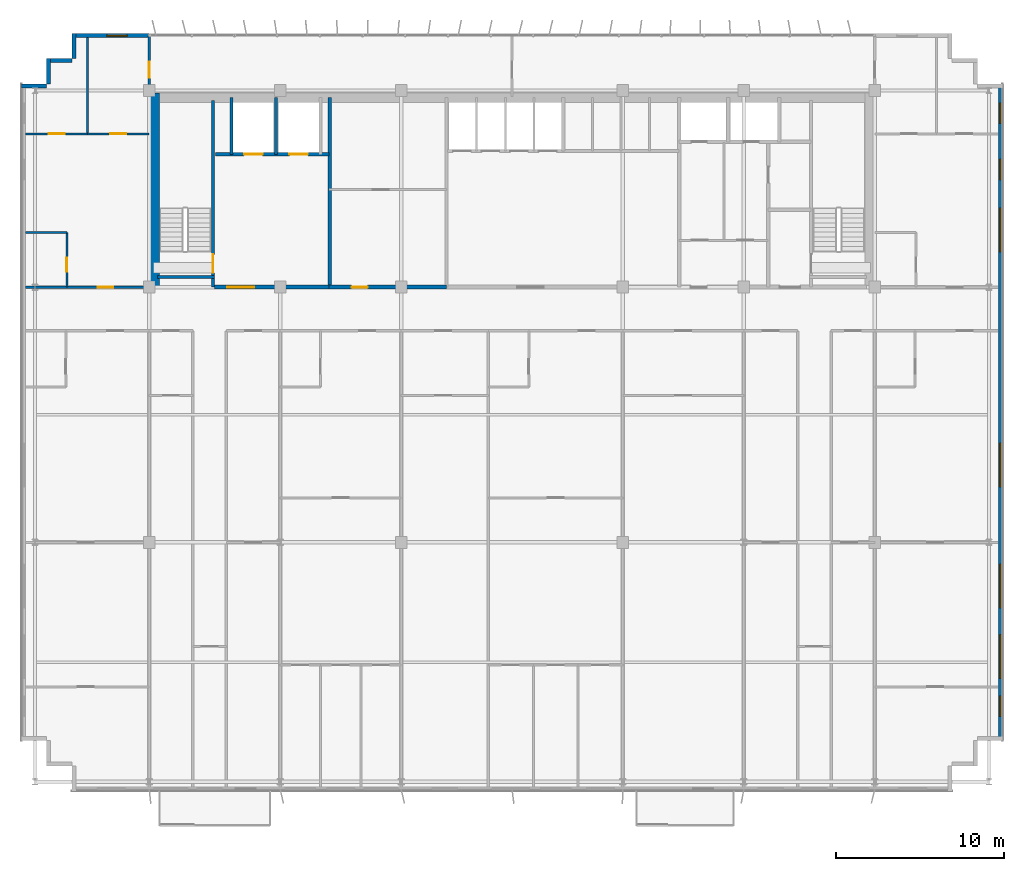
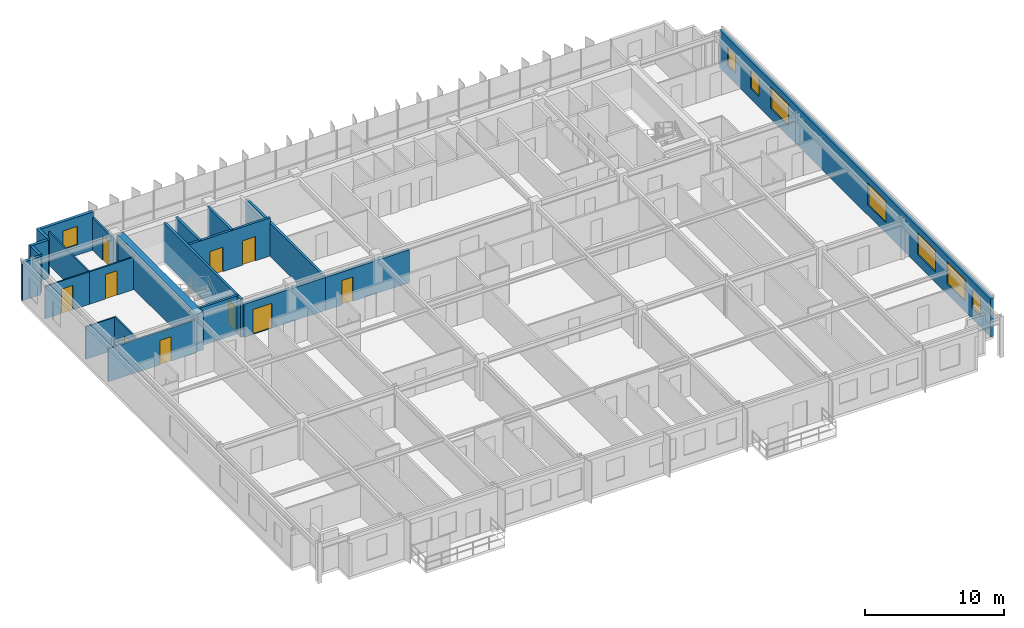
# One storey, part 19 of 23: 22 walls, 10 doors, 8 windows, 18 openings.
"""IFC4 building model written with IfcOpenShell, lengths in metres."""

from ifc_helpers import new_model, si_unit, direction, frame, frame_2d, origin, place, context, subcontext, project, spatial, rectangle, extrude, source, transform, mapped, material, layer, layer_set, type_object, element, fill, save


model = new_model("IFC4")

# Units and contexts
model_context = context("Model", 3, precision=1e-05, world=origin(), true_north=direction((0.0, 1.0)))
body_context = subcontext(model_context, "Body", "Model", "MODEL_VIEW")
ifc_project = project(units=[si_unit("LENGTHUNIT", "METRE"), si_unit("AREAUNIT", "SQUARE_METRE"), si_unit("VOLUMEUNIT", "CUBIC_METRE"), si_unit("PLANEANGLEUNIT", "RADIAN"), si_unit("MASSUNIT", "GRAM", prefix="KILO")], contexts=[model_context])

# Site, building, storey
site_placement = place(None, origin())
site = spatial("IfcSite", under=ifc_project, at=site_placement, CompositionType="ELEMENT")
building_placement = place(site_placement, origin())
building = spatial("IfcBuilding", under=site, at=building_placement, Name="Trelvane Seafront Commons", CompositionType="ELEMENT")
storey_placement = place(building_placement, frame((0.0, 0.0, 208.5)))
storey = spatial("IfcBuildingStorey", under=building, at=storey_placement, Name="L54", CompositionType="ELEMENT", Elevation=208.5)

# Wall, opening, window
ifc_material_1 = material(Name="Precast concrete C40/50", Category="concrete")
ifc_layer_1 = layer(ifc_material_1, 0.239990234375, Name="ARCH-WALL-EXT240")
ifc_layer_set_1 = layer_set([ifc_layer_1], Name="Precast concrete C40/50")
wall_type_1 = type_object("IfcWallType", Name="ARCH-WALL-EXT240", PredefinedType="SOLIDWALL", material=ifc_layer_set_1)
wall_1_placement = place(storey_placement, frame((11.10009765625, 48.3701171875, 0.0), z_axis=(0.0, 0.0, 1.0), x_axis=(1.0, 0.0, 0.0)))
wall_1 = element("IfcWall", 1, at=wall_1_placement, inside=storey, type_object=wall_type_1, Name="EW-L54-NW-1078", PredefinedType="SOLIDWALL", context=body_context, shape_type="SweptSolid", body=[
    extrude(rectangle(XDim=4.5, YDim=0.239990234375, at=frame_2d((2.25, 0.0))), origin(), (0.0, 0.0, 1.0), 3.360107421875),
])
opening_1_placement = place(wall_1_placement, frame((1.98291015625, 0.0, 0.89990234375)))
opening_1 = element("IfcOpeningElement", 2, at=opening_1_placement, cuts=wall_1, Name="Opening W05", PredefinedType="OPENING", context=body_context, shape_type="SweptSolid", body=[
    extrude(rectangle(XDim=1.199951171875, YDim=1.64990234375, at=frame_2d((0.60009765625, 0.824951171875))), frame((0.0, 0.1298828125, 0.0), z_axis=(0.0, -1.0, 0.0), x_axis=(1.0, 0.0, 0.0)), (0.0, 0.0, 1.0), 0.260009765625),
])
ifc_material_2 = material(Name="Low-E coastal double glazing", Category="glass")
window_type_1 = type_object("IfcWindowType", Name="ARCH-WIN-W05", PartitioningType="SINGLE_PANEL", PredefinedType="WINDOW", material=ifc_material_2)
shared_shape_1 = source(origin(), body_context, "Body", "SweptSolid", [
    extrude(rectangle(XDim=1.199951171875, YDim=1.64990234375, at=frame_2d((0.60009765625, 0.824951171875))), frame((0.0, 0.030029296875, 0.0), z_axis=(0.0, -1.0, 0.0), x_axis=(1.0, 0.0, 0.0)), (0.0, 0.0, 1.0), 0.06005859375),
])
window_1_placement = place(opening_1_placement, origin())
window_1 = element("IfcWindow", 3, at=window_1_placement, inside=storey, type_object=window_type_1, Name="WIN-L54-01300", OverallHeight=1.64990234375, OverallWidth=1.199951171875, PartitioningType="SINGLE_PANEL", PredefinedType="WINDOW", context=body_context, shape_type="MappedRepresentation", body=[
    mapped(shared_shape_1, transform((0.0, 0.0, 0.0), x_axis=(1.0, 0.0, 0.0), y_axis=(0.0, 1.0, 0.0), z_axis=(0.0, 0.0, 1.0), scale=1.0)),
])
fill(opening_1, window_1)

# Walls
for number, where, z_axis, x_axis, name in (
    (4, (8.0, 45.3798828125, 0.0), (0.0, 0.0, 1.0), (1.0, 0.0, 0.0), "EW-L54-01084"),
    (5, (9.6201171875, 45.5, 0.0), (0.0, 0.0, 1.0), (0.0, 1.0, 0.0), "EW-L54-01085"),
    (6, (9.5, 46.8798828125, 0.0), (0.0, 0.0, 1.0), (1.0, 0.0, 0.0), "EW-L54-01086"),
    (7, (11.1201171875, 47.0, 0.0), (0.0, 0.0, 1.0), (0.0, 1.0, 0.0), "EW-L54-01087"),
):
    element("IfcWall", number, at=place(storey_placement, frame(where, z_axis=z_axis, x_axis=x_axis)), inside=storey, type_object=wall_type_1, Name=name, PredefinedType="SOLIDWALL", context=body_context, shape_type="SweptSolid", body=[
        extrude(rectangle(XDim=1.5, YDim=0.239990234375, at=frame_2d((0.75, 0.0))), origin(), (0.0, 0.0, 1.0), 3.360107421875),
    ])

# Wall, openings, windows
wall_2_placement = place(storey_placement, frame((66.280029296875, 45.5, 0.0), z_axis=(0.0, 0.0, 1.0), x_axis=(0.0, -1.0, 0.0)))
wall_2 = element("IfcWall", 8, at=wall_2_placement, inside=storey, type_object=wall_type_1, Name="EW-L54-01092", PredefinedType="SOLIDWALL", context=body_context, shape_type="SweptSolid", body=[
    extrude(rectangle(XDim=39.10009765625, YDim=0.239990234375, at=frame_2d((19.550048828125, 0.0))), origin(), (0.0, 0.0, 1.0), 3.360107421875),
])
opening_2_placement = place(wall_2_placement, frame((36.449951171875, 0.0, 0.919921875)))
opening_2 = element("IfcOpeningElement", 9, at=opening_2_placement, cuts=wall_2, Name="Opening W05", PredefinedType="OPENING", context=body_context, shape_type="SweptSolid", body=[
    extrude(rectangle(XDim=1.199951171875, YDim=1.64990234375, at=frame_2d((0.60009765625, 0.824951171875))), frame((0.0, 0.1298828125, 0.0), z_axis=(0.0, -1.0, 0.0), x_axis=(1.0, 0.0, 0.0)), (0.0, 0.0, 1.0), 0.260009765625),
])
opening_3_placement = place(wall_2_placement, frame((32.800048828125, 0.0, 0.919921875)))
opening_3 = element("IfcOpeningElement", 10, at=opening_3_placement, cuts=wall_2, Name="Opening W04", PredefinedType="OPENING", context=body_context, shape_type="SweptSolid", body=[
    extrude(rectangle(XDim=2.60009765625, YDim=1.89990234375, at=frame_2d((1.300048828125, 0.949951171875))), frame((0.0, 0.1298828125, 0.0), z_axis=(0.0, -1.0, 0.0), x_axis=(1.0, 0.0, 0.0)), (0.0, 0.0, 1.0), 0.260009765625),
])
opening_4_placement = place(wall_2_placement, frame((28.60009765625, 0.0, 0.919921875)))
opening_4 = element("IfcOpeningElement", 11, at=opening_4_placement, cuts=wall_2, Name="Opening W04", PredefinedType="OPENING", context=body_context, shape_type="SweptSolid", body=[
    extrude(rectangle(XDim=2.60009765625, YDim=1.89990234375, at=frame_2d((1.300048828125, 0.949951171875))), frame((0.0, 0.1298828125, 0.0), z_axis=(0.0, -1.0, 0.0), x_axis=(1.0, 0.0, 0.0)), (0.0, 0.0, 1.0), 0.260009765625),
])
opening_5_placement = place(wall_2_placement, frame((21.39990234375, 0.0, 0.919921875)))
opening_5 = element("IfcOpeningElement", 12, at=opening_5_placement, cuts=wall_2, Name="Opening W04", PredefinedType="OPENING", context=body_context, shape_type="SweptSolid", body=[
    extrude(rectangle(XDim=2.60009765625, YDim=1.89990234375, at=frame_2d((1.300048828125, 0.949951171875))), frame((0.0, 0.1298828125, 0.0), z_axis=(0.0, -1.0, 0.0), x_axis=(1.0, 0.0, 0.0)), (0.0, 0.0, 1.0), 0.260009765625),
])
opening_6_placement = place(wall_2_placement, frame((7.39990234375, 0.0, 0.919921875)))
opening_6 = element("IfcOpeningElement", 13, at=opening_6_placement, cuts=wall_2, Name="Opening W04", PredefinedType="OPENING", context=body_context, shape_type="SweptSolid", body=[
    extrude(rectangle(XDim=2.60009765625, YDim=1.89990234375, at=frame_2d((1.300048828125, 0.949951171875))), frame((0.0, 0.1298828125, 0.0), z_axis=(0.0, -1.0, 0.0), x_axis=(1.0, 0.0, 0.0)), (0.0, 0.0, 1.0), 0.260009765625),
])
opening_7_placement = place(wall_2_placement, frame((4.5, 0.0, 0.919921875)))
opening_7 = element("IfcOpeningElement", 14, at=opening_7_placement, cuts=wall_2, Name="Opening W05", PredefinedType="OPENING", context=body_context, shape_type="SweptSolid", body=[
    extrude(rectangle(XDim=1.199951171875, YDim=1.64990234375, at=frame_2d((0.60009765625, 0.824951171875))), frame((0.0, 0.1298828125, 0.0), z_axis=(0.0, -1.0, 0.0), x_axis=(1.0, 0.0, 0.0)), (0.0, 0.0, 1.0), 0.260009765625),
])
opening_8_placement = place(wall_2_placement, frame((1.14990234375, 0.0, 0.919921875)))
opening_8 = element("IfcOpeningElement", 15, at=opening_8_placement, cuts=wall_2, Name="Opening W05", PredefinedType="OPENING", context=body_context, shape_type="SweptSolid", body=[
    extrude(rectangle(XDim=1.199951171875, YDim=1.64990234375, at=frame_2d((0.60009765625, 0.824951171875))), frame((0.0, 0.1298828125, 0.0), z_axis=(0.0, -1.0, 0.0), x_axis=(1.0, 0.0, 0.0)), (0.0, 0.0, 1.0), 0.260009765625),
])
window_type_2 = type_object("IfcWindowType", Name="ARCH-WIN-W04", PartitioningType="SINGLE_PANEL", PredefinedType="WINDOW", material=ifc_material_2)
shared_shape_2 = source(origin(), body_context, "Body", "SweptSolid", [
    extrude(rectangle(XDim=2.60009765625, YDim=1.89990234375, at=frame_2d((1.300048828125, 0.949951171875))), frame((0.0, 0.030029296875, 0.0), z_axis=(0.0, -1.0, 0.0), x_axis=(1.0, 0.0, 0.0)), (0.0, 0.0, 1.0), 0.06005859375),
])
window_2_placement = place(opening_3_placement, origin())
window_2 = element("IfcWindow", 16, at=window_2_placement, inside=storey, type_object=window_type_2, Name="WIN-L54-EW-01309", OverallHeight=1.89990234375, OverallWidth=2.60009765625, PartitioningType="SINGLE_PANEL", PredefinedType="WINDOW", context=body_context, shape_type="MappedRepresentation", body=[
    mapped(shared_shape_2, transform((0.0, 0.0, 0.0), x_axis=(1.0, 0.0, 0.0), y_axis=(0.0, 1.0, 0.0), z_axis=(0.0, 0.0, 1.0), scale=1.0)),
])
fill(opening_3, window_2)
window_3_placement = place(opening_4_placement, origin())
window_3 = element("IfcWindow", 17, at=window_3_placement, inside=storey, type_object=window_type_2, Name="WIN-L54-EW-01310", OverallHeight=1.89990234375, OverallWidth=2.60009765625, PartitioningType="SINGLE_PANEL", PredefinedType="WINDOW", context=body_context, shape_type="MappedRepresentation", body=[
    mapped(shared_shape_2, transform((0.0, 0.0, 0.0), x_axis=(1.0, 0.0, 0.0), y_axis=(0.0, 1.0, 0.0), z_axis=(0.0, 0.0, 1.0), scale=1.0)),
])
fill(opening_4, window_3)
window_4_placement = place(opening_5_placement, origin())
window_4 = element("IfcWindow", 18, at=window_4_placement, inside=storey, type_object=window_type_2, Name="WIN-L54-EW-01311", OverallHeight=1.89990234375, OverallWidth=2.60009765625, PartitioningType="SINGLE_PANEL", PredefinedType="WINDOW", context=body_context, shape_type="MappedRepresentation", body=[
    mapped(shared_shape_2, transform((0.0, 0.0, 0.0), x_axis=(1.0, 0.0, 0.0), y_axis=(0.0, 1.0, 0.0), z_axis=(0.0, 0.0, 1.0), scale=1.0)),
])
fill(opening_5, window_4)
window_5_placement = place(opening_6_placement, origin())
window_5 = element("IfcWindow", 19, at=window_5_placement, inside=storey, type_object=window_type_2, Name="WIN-L54-EW-01312", OverallHeight=1.89990234375, OverallWidth=2.60009765625, PartitioningType="SINGLE_PANEL", PredefinedType="WINDOW", context=body_context, shape_type="MappedRepresentation", body=[
    mapped(shared_shape_2, transform((0.0, 0.0, 0.0), x_axis=(1.0, 0.0, 0.0), y_axis=(0.0, 1.0, 0.0), z_axis=(0.0, 0.0, 1.0), scale=1.0)),
])
fill(opening_6, window_5)
window_6_placement = place(opening_2_placement, origin())
window_6 = element("IfcWindow", 20, at=window_6_placement, inside=storey, type_object=window_type_1, Name="WIN-L54-EW-01308", OverallHeight=1.64990234375, OverallWidth=1.199951171875, PartitioningType="SINGLE_PANEL", PredefinedType="WINDOW", context=body_context, shape_type="MappedRepresentation", body=[
    mapped(shared_shape_1, transform((0.0, 0.0, 0.0), x_axis=(1.0, 0.0, 0.0), y_axis=(0.0, 1.0, 0.0), z_axis=(0.0, 0.0, 1.0), scale=1.0)),
])
fill(opening_2, window_6)
window_7_placement = place(opening_7_placement, origin())
window_7 = element("IfcWindow", 21, at=window_7_placement, inside=storey, type_object=window_type_1, Name="WIN-L54-EW-01313", OverallHeight=1.64990234375, OverallWidth=1.199951171875, PartitioningType="SINGLE_PANEL", PredefinedType="WINDOW", context=body_context, shape_type="MappedRepresentation", body=[
    mapped(shared_shape_1, transform((0.0, 0.0, 0.0), x_axis=(1.0, 0.0, 0.0), y_axis=(0.0, 1.0, 0.0), z_axis=(0.0, 0.0, 1.0), scale=1.0)),
])
fill(opening_7, window_7)
window_8_placement = place(opening_8_placement, origin())
window_8 = element("IfcWindow", 22, at=window_8_placement, inside=storey, type_object=window_type_1, Name="WIN-L54-EW-01314", OverallHeight=1.64990234375, OverallWidth=1.199951171875, PartitioningType="SINGLE_PANEL", PredefinedType="WINDOW", context=body_context, shape_type="MappedRepresentation", body=[
    mapped(shared_shape_1, transform((0.0, 0.0, 0.0), x_axis=(1.0, 0.0, 0.0), y_axis=(0.0, 1.0, 0.0), z_axis=(0.0, 0.0, 1.0), scale=1.0)),
])
fill(opening_8, window_8)

# Wall, opening, door
ifc_material_3 = material(Name="Concrete C40/50", Category="concrete")
ifc_layer_2 = layer(ifc_material_3, 0.25, Name="ARCH-WALL-FIRE250")
ifc_layer_set_2 = layer_set([ifc_layer_2], Name="Concrete C40/50")
wall_type_2 = type_object("IfcWallType", Name="ARCH-WALL-FIRE250", PredefinedType="PARTITIONING", material=ifc_layer_set_2)
wall_3_placement = place(storey_placement, frame((19.5, 33.39990234375, 0.0), z_axis=(0.0, 0.0, 1.0), x_axis=(1.0, 0.0, 0.0)))
wall_3 = element("IfcWall", 23, at=wall_3_placement, inside=storey, type_object=wall_type_2, Name="W-L54-CS-FFL-013", PredefinedType="PARTITIONING", context=body_context, shape_type="SweptSolid", body=[
    extrude(rectangle(XDim=6.800048828125, YDim=0.25, at=frame_2d((3.39990234375, 0.0))), origin(), (0.0, 0.0, 1.0), 2.909912109375),
])
opening_9_placement = place(wall_3_placement, frame((0.75, 0.0, 0.0)))
opening_9 = element("IfcOpeningElement", 24, at=opening_9_placement, cuts=wall_3, Name="Opening FD-L54-05", PredefinedType="OPENING", context=body_context, shape_type="SweptSolid", body=[
    extrude(rectangle(XDim=1.60009765625, YDim=2.199951171875, at=frame_2d((0.800048828125, 1.10009765625))), frame((0.0, 0.135009765625, 0.0), z_axis=(0.0, -1.0, 0.0), x_axis=(1.0, 0.0, 0.0)), (0.0, 0.0, 1.0), 0.27001953125),
])
ifc_material_4 = material(Name="Powder-coated aluminium frame", Category="aluminium")
door_type_1 = type_object("IfcDoorType", Name="ARCH-DR-FD60-1600", OperationType="DOUBLE_DOOR_SINGLE_SWING", PredefinedType="DOOR", material=ifc_material_4)
shared_shape_3 = source(origin(), body_context, "Body", "SweptSolid", [
    extrude(rectangle(XDim=1.60009765625, YDim=2.199951171875, at=frame_2d((0.800048828125, 1.10009765625))), frame((0.0, 0.02490234375, 0.0), z_axis=(0.0, -1.0, 0.0), x_axis=(1.0, 0.0, 0.0)), (0.0, 0.0, 1.0), 0.050048828125),
])
door_1_placement = place(opening_9_placement, origin())
door_1 = element("IfcDoor", 25, at=door_1_placement, inside=storey, type_object=door_type_1, Name="L54 Firefighting Lift Lobby Double Fire Door", OperationType="DOUBLE_DOOR_SINGLE_SWING", OverallHeight=2.199951171875, OverallWidth=1.60009765625, PredefinedType="DOOR", context=body_context, shape_type="MappedRepresentation", body=[
    mapped(shared_shape_3, transform((0.0, 0.0, 0.0), x_axis=(1.0, 0.0, 0.0), y_axis=(0.0, 1.0, 0.0), z_axis=(0.0, 0.0, 1.0), scale=1.0)),
])
fill(opening_9, door_1)

wall_4_placement = place(storey_placement, frame((26.300048828125, 33.39990234375, 0.0), z_axis=(0.0, 0.0, 1.0), x_axis=(1.0, 0.0, 0.0)))
wall_4 = element("IfcWall", 26, at=wall_4_placement, inside=storey, type_object=wall_type_2, Name="W-L54-CS-FPL-026", PredefinedType="PARTITIONING", context=body_context, shape_type="SweptSolid", body=[
    extrude(rectangle(XDim=7.0, YDim=0.25, at=frame_2d((3.5, 0.0))), origin(), (0.0, 0.0, 1.0), 2.909912109375),
])
opening_10_placement = place(wall_4_placement, frame((1.35009765625, 0.0, 0.0)))
opening_10 = element("IfcOpeningElement", 27, at=opening_10_placement, cuts=wall_4, Name="Opening D-L54-11", PredefinedType="OPENING", context=body_context, shape_type="SweptSolid", body=[
    extrude(rectangle(XDim=0.949951171875, YDim=2.14990234375, at=frame_2d((0.47509765625, 1.074951171875))), frame((0.0, 0.135009765625, 0.0), z_axis=(0.0, -1.0, 0.0), x_axis=(1.0, 0.0, 0.0)), (0.0, 0.0, 1.0), 0.27001953125),
])
ifc_material_5 = material(Name="Acoustic timber door leaf", Category="wood")
door_type_2 = type_object("IfcDoorType", Name="ARCH-DR-INT950", OperationType="NOTDEFINED", PredefinedType="DOOR", material=ifc_material_5)
shared_shape_4 = source(origin(), body_context, "Body", "SweptSolid", [
    extrude(rectangle(XDim=0.949951171875, YDim=2.14990234375, at=frame_2d((0.47509765625, 1.074951171875))), frame((0.0, 0.02490234375, 0.0), z_axis=(0.0, -1.0, 0.0), x_axis=(1.0, 0.0, 0.0)), (0.0, 0.0, 1.0), 0.050048828125),
])
door_2_placement = place(opening_10_placement, origin())
door_2 = element("IfcDoor", 28, at=door_2_placement, inside=storey, type_object=door_type_2, Name="L54 Floor Pantry Entrance Door", OperationType="SINGLE_SWING_LEFT", OverallHeight=2.14990234375, OverallWidth=0.949951171875, PredefinedType="DOOR", context=body_context, shape_type="MappedRepresentation", body=[
    mapped(shared_shape_4, transform((0.0, 0.0, 0.0), x_axis=(1.0, 0.0, 0.0), y_axis=(0.0, 1.0, 0.0), z_axis=(0.0, 0.0, 1.0), scale=1.0)),
])
fill(opening_10, door_2)

ifc_material_6 = material(Name="Gypsum Drywall Acoustic Partition")
ifc_layer_3 = layer(ifc_material_6, 0.1201171875, Name="ARCH-WALL-PART120")
ifc_layer_set_3 = layer_set([ifc_layer_3], Name="Gypsum Drywall Acoustic Partition")
wall_type_3 = type_object("IfcWallType", Name="ARCH-WALL-PART120", PredefinedType="PARTITIONING", material=ifc_layer_set_3)
wall_5_placement = place(storey_placement, frame((10.699951171875, 33.39990234375, 0.0), z_axis=(0.0, 0.0, 1.0), x_axis=(0.0, 1.0, 0.0)))
wall_5 = element("IfcWall", 29, at=wall_5_placement, inside=storey, type_object=wall_type_3, Name="W-L54-NW-BE-036", PredefinedType="PARTITIONING", context=body_context, shape_type="SweptSolid", body=[
    extrude(rectangle(XDim=3.25, YDim=0.1201171875, at=frame_2d((1.625, 0.0))), origin(), (0.0, 0.0, 1.0), 2.909912109375),
])
opening_11_placement = place(wall_5_placement, frame((0.89990234375, 0.0, 0.0)))
opening_11 = element("IfcOpeningElement", 30, at=opening_11_placement, cuts=wall_5, Name="Opening D-L54-20", PredefinedType="OPENING", context=body_context, shape_type="SweptSolid", body=[
    extrude(rectangle(XDim=0.85009765625, YDim=2.10009765625, at=frame_2d((0.425048828125, 1.050048828125))), frame((0.0, 0.070068359375, 0.0), z_axis=(0.0, -1.0, 0.0), x_axis=(1.0, 0.0, 0.0)), (0.0, 0.0, 1.0), 0.14013671875),
])
door_type_3 = type_object("IfcDoorType", Name="ARCH-DR-INT850", OperationType="NOTDEFINED", PredefinedType="DOOR", material=ifc_material_5)
shared_shape_5 = source(origin(), body_context, "Body", "SweptSolid", [
    extrude(rectangle(XDim=0.85009765625, YDim=2.10009765625, at=frame_2d((0.425048828125, 1.050048828125))), frame((0.0, 0.02490234375, 0.0), z_axis=(0.0, -1.0, 0.0), x_axis=(1.0, 0.0, 0.0)), (0.0, 0.0, 1.0), 0.050048828125),
])
door_3_placement = place(opening_11_placement, origin())
door_3 = element("IfcDoor", 31, at=door_3_placement, inside=storey, type_object=door_type_3, Name="L54 Door 20", OperationType="SINGLE_SWING_RIGHT", OverallHeight=2.10009765625, OverallWidth=0.85009765625, PredefinedType="DOOR", context=body_context, shape_type="MappedRepresentation", body=[
    mapped(shared_shape_5, transform((0.0, 0.0, 0.0), x_axis=(1.0, 0.0, 0.0), y_axis=(0.0, 1.0, 0.0), z_axis=(0.0, 0.0, 1.0), scale=1.0)),
])
fill(opening_11, door_3)

# Wall
wall_6_placement = place(storey_placement, frame((8.25, 36.64990234375, 0.0), z_axis=(0.0, 0.0, 1.0), x_axis=(1.0, 0.0, 0.0)))
element("IfcWall", 32, at=wall_6_placement, inside=storey, type_object=wall_type_3, Name="W-L54-NW-BN-037", PredefinedType="PARTITIONING", context=body_context, shape_type="SweptSolid", body=[
    extrude(rectangle(XDim=2.449951171875, YDim=0.1201171875, at=frame_2d((1.22509765625, 0.0))), origin(), (0.0, 0.0, 1.0), 2.860107421875),
])

# Wall, opening, door
wall_7_placement = place(storey_placement, frame((8.25, 42.52001953125, 0.0), z_axis=(0.0, 0.0, 1.0), x_axis=(1.0, 0.0, 0.0)))
wall_7 = element("IfcWall", 33, at=wall_7_placement, inside=storey, type_object=wall_type_3, Name="W-L54-NW-KB1-038", PredefinedType="PARTITIONING", context=body_context, shape_type="SweptSolid", body=[
    extrude(rectangle(XDim=3.675048828125, YDim=0.1201171875, at=frame_2d((1.83740234375, 0.0))), origin(), (0.0, 0.0, 1.0), 2.860107421875),
])
opening_12_placement = place(wall_7_placement, frame((1.363037109375, 0.0, 0.0)))
opening_12 = element("IfcOpeningElement", 34, at=opening_12_placement, cuts=wall_7, Name="Opening D-L54-21", PredefinedType="OPENING", context=body_context, shape_type="SweptSolid", body=[
    extrude(rectangle(XDim=0.949951171875, YDim=2.14990234375, at=frame_2d((0.47509765625, 1.074951171875))), frame((0.0, 0.070068359375, 0.0), z_axis=(0.0, -1.0, 0.0), x_axis=(1.0, 0.0, 0.0)), (0.0, 0.0, 1.0), 0.14013671875),
])
door_4_placement = place(opening_12_placement, origin())
door_4 = element("IfcDoor", 35, at=door_4_placement, inside=storey, type_object=door_type_2, Name="L54 Door 21", OperationType="SINGLE_SWING_LEFT", OverallHeight=2.14990234375, OverallWidth=0.949951171875, PredefinedType="DOOR", context=body_context, shape_type="MappedRepresentation", body=[
    mapped(shared_shape_4, transform((0.0, 0.0, 0.0), x_axis=(1.0, 0.0, 0.0), y_axis=(0.0, 1.0, 0.0), z_axis=(0.0, 0.0, 1.0), scale=1.0)),
])
fill(opening_12, door_4)

wall_8_placement = place(storey_placement, frame((11.925048828125, 42.52001953125, 0.0), z_axis=(0.0, 0.0, 1.0), x_axis=(1.0, 0.0, 0.0)))
wall_8 = element("IfcWall", 36, at=wall_8_placement, inside=storey, type_object=wall_type_3, Name="W-L54-NW-KB2-039", PredefinedType="PARTITIONING", context=body_context, shape_type="SweptSolid", body=[
    extrude(rectangle(XDim=3.675048828125, YDim=0.1201171875, at=frame_2d((1.83740234375, 0.0))), origin(), (0.0, 0.0, 1.0), 2.860107421875),
])
opening_13_placement = place(wall_8_placement, frame((1.362060546875, 0.0, 0.0)))
opening_13 = element("IfcOpeningElement", 37, at=opening_13_placement, cuts=wall_8, Name="Opening D-L54-22", PredefinedType="OPENING", context=body_context, shape_type="SweptSolid", body=[
    extrude(rectangle(XDim=0.949951171875, YDim=2.14990234375, at=frame_2d((0.47509765625, 1.074951171875))), frame((0.0, 0.070068359375, 0.0), z_axis=(0.0, -1.0, 0.0), x_axis=(1.0, 0.0, 0.0)), (0.0, 0.0, 1.0), 0.14013671875),
])
door_5_placement = place(opening_13_placement, origin())
door_5 = element("IfcDoor", 38, at=door_5_placement, inside=storey, type_object=door_type_2, Name="L54 Door 22", OperationType="SINGLE_SWING_RIGHT", OverallHeight=2.14990234375, OverallWidth=0.949951171875, PredefinedType="DOOR", context=body_context, shape_type="MappedRepresentation", body=[
    mapped(shared_shape_4, transform((0.0, 0.0, 0.0), x_axis=(1.0, 0.0, 0.0), y_axis=(0.0, 1.0, 0.0), z_axis=(0.0, 0.0, 1.0), scale=1.0)),
])
fill(opening_13, door_5)

# Wall
wall_9_placement = place(storey_placement, frame((11.925048828125, 42.52001953125, 0.0), z_axis=(0.0, 0.0, 1.0), x_axis=(0.0, 1.0, 0.0)))
element("IfcWall", 39, at=wall_9_placement, inside=storey, type_object=wall_type_3, Name="W-L54-NW-KBDV-040", PredefinedType="PARTITIONING", context=body_context, shape_type="SweptSolid", body=[
    extrude(rectangle(XDim=5.739990234375, YDim=0.1201171875, at=frame_2d((2.8701171875, 0.0))), origin(), (0.0, 0.0, 1.0), 2.909912109375),
])

# Wall, opening, door
ifc_layer_4 = layer(ifc_material_6, 0.14990234375, Name="ARCH-WALL-PART150")
ifc_layer_set_4 = layer_set([ifc_layer_4], Name="Gypsum Drywall Acoustic Partition")
wall_type_4 = type_object("IfcWallType", Name="ARCH-WALL-PART150", PredefinedType="PARTITIONING", material=ifc_layer_set_4)
wall_10_placement = place(storey_placement, frame((8.25, 33.39990234375, 0.0), z_axis=(0.0, 0.0, 1.0), x_axis=(1.0, 0.0, 0.0)))
wall_10 = element("IfcWall", 40, at=wall_10_placement, inside=storey, type_object=wall_type_4, Name="W-L54-NW-ENT-041", PredefinedType="PARTITIONING", context=body_context, shape_type="SweptSolid", body=[
    extrude(rectangle(XDim=7.35009765625, YDim=0.14990234375, at=frame_2d((3.675048828125, 0.0))), origin(), (0.0, 0.0, 1.0), 2.909912109375),
])
opening_14_placement = place(wall_10_placement, frame((4.27490234375, 0.0, 0.0)))
opening_14 = element("IfcOpeningElement", 41, at=opening_14_placement, cuts=wall_10, Name="Opening FD-L54-23", PredefinedType="OPENING", context=body_context, shape_type="SweptSolid", body=[
    extrude(rectangle(XDim=0.949951171875, YDim=2.14990234375, at=frame_2d((0.47509765625, 1.074951171875))), frame((0.0, 0.0849609375, 0.0), z_axis=(0.0, -1.0, 0.0), x_axis=(1.0, 0.0, 0.0)), (0.0, 0.0, 1.0), 0.169921875),
])
door_type_4 = type_object("IfcDoorType", Name="ARCH-DR-FD60-950", OperationType="NOTDEFINED", PredefinedType="DOOR", material=ifc_material_4)
door_6_placement = place(opening_14_placement, origin())
door_6 = element("IfcDoor", 42, at=door_6_placement, inside=storey, type_object=door_type_4, Name="L54 NW Flat Entrance Door", OperationType="SINGLE_SWING_LEFT", OverallHeight=2.14990234375, OverallWidth=0.949951171875, PredefinedType="DOOR", context=body_context, shape_type="MappedRepresentation", body=[
    mapped(shared_shape_4, transform((0.0, 0.0, 0.0), x_axis=(1.0, 0.0, 0.0), y_axis=(0.0, 1.0, 0.0), z_axis=(0.0, 0.0, 1.0), scale=1.0)),
])
fill(opening_14, door_6)

wall_11_placement = place(storey_placement, frame((15.60009765625, 44.75, 0.0), z_axis=(0.0, 0.0, 1.0), x_axis=(0.0, 1.0, 0.0)))
wall_11 = element("IfcWall", 43, at=wall_11_placement, inside=storey, type_object=wall_type_4, Name="W-L54-N-LINK-W-049", PredefinedType="PARTITIONING", context=body_context, shape_type="SweptSolid", body=[
    extrude(rectangle(XDim=3.610107421875, YDim=0.14990234375, at=frame_2d((1.80517578125, 0.0))), origin(), (0.0, 0.0, 1.0), 2.860107421875),
])
opening_15_placement = place(wall_11_placement, frame((1.10009765625, 0.0, 0.0)))
opening_15 = element("IfcOpeningElement", 44, at=opening_15_placement, cuts=wall_11, Name="Opening FD-L54-29", PredefinedType="OPENING", context=body_context, shape_type="SweptSolid", body=[
    extrude(rectangle(XDim=0.949951171875, YDim=2.14990234375, at=frame_2d((0.47509765625, 1.074951171875))), frame((0.0, 0.0849609375, 0.0), z_axis=(0.0, -1.0, 0.0), x_axis=(1.0, 0.0, 0.0)), (0.0, 0.0, 1.0), 0.169921875),
])
door_7_placement = place(opening_15_placement, origin())
door_7 = element("IfcDoor", 45, at=door_7_placement, inside=storey, type_object=door_type_4, Name="L54 Door 29", OperationType="SINGLE_SWING_LEFT", OverallHeight=2.14990234375, OverallWidth=0.949951171875, PredefinedType="DOOR", context=body_context, shape_type="MappedRepresentation", body=[
    mapped(shared_shape_4, transform((0.0, 0.0, 0.0), x_axis=(1.0, 0.0, 0.0), y_axis=(0.0, 1.0, 0.0), z_axis=(0.0, 0.0, 1.0), scale=1.0)),
])
fill(opening_15, door_7)

# Wall, openings, doors
ifc_layer_5 = layer(ifc_material_3, 0.199951171875, Name="ARCH-WALL-SHAFT200")
ifc_layer_set_5 = layer_set([ifc_layer_5], Name="Concrete C40/50")
wall_type_5 = type_object("IfcWallType", Name="ARCH-WALL-SHAFT200", PredefinedType="SOLIDWALL", material=ifc_layer_set_5)
wall_12_placement = place(storey_placement, frame((19.550048828125, 41.300048828125, 0.0), z_axis=(0.0, 0.0, 1.0), x_axis=(1.0, 0.0, 0.0)))
wall_12 = element("IfcWall", 46, at=wall_12_placement, inside=storey, type_object=wall_type_5, Name="W-L54-FFL-FRONT-008", PredefinedType="SOLIDWALL", context=body_context, shape_type="SweptSolid", body=[
    extrude(rectangle(XDim=6.75, YDim=0.199951171875, at=frame_2d((3.375, 0.0))), origin(), (0.0, 0.0, 1.0), 3.360107421875),
])
opening_16_placement = place(wall_12_placement, frame((1.699951171875, 0.0, 0.0)))
opening_16 = element("IfcOpeningElement", 47, at=opening_16_placement, cuts=wall_12, Name="Opening LD-FF1-L54", PredefinedType="OPENING", context=body_context, shape_type="SweptSolid", body=[
    extrude(rectangle(XDim=1.10009765625, YDim=2.14990234375, at=frame_2d((0.550048828125, 1.074951171875))), frame((0.0, 0.10986328125, 0.0), z_axis=(0.0, -1.0, 0.0), x_axis=(1.0, 0.0, 0.0)), (0.0, 0.0, 1.0), 0.219970703125),
])
opening_17_placement = place(wall_12_placement, frame((4.39990234375, 0.0, 0.0)))
opening_17 = element("IfcOpeningElement", 48, at=opening_17_placement, cuts=wall_12, Name="Opening LD-FF2-L54", PredefinedType="OPENING", context=body_context, shape_type="SweptSolid", body=[
    extrude(rectangle(XDim=1.10009765625, YDim=2.14990234375, at=frame_2d((0.550048828125, 1.074951171875))), frame((0.0, 0.10986328125, 0.0), z_axis=(0.0, -1.0, 0.0), x_axis=(1.0, 0.0, 0.0)), (0.0, 0.0, 1.0), 0.219970703125),
])
ifc_material_7 = material(Name="Stainless steel balustrade", Category="steel")
door_type_5 = type_object("IfcDoorType", Name="ARCH-DR-LD1100", OperationType="DOUBLE_DOOR_SLIDING", PredefinedType="DOOR", material=ifc_material_7)
shared_shape_6 = source(origin(), body_context, "Body", "SweptSolid", [
    extrude(rectangle(XDim=1.10009765625, YDim=2.14990234375, at=frame_2d((0.550048828125, 1.074951171875))), frame((0.0, 0.02490234375, 0.0), z_axis=(0.0, -1.0, 0.0), x_axis=(1.0, 0.0, 0.0)), (0.0, 0.0, 1.0), 0.050048828125),
])
door_8_placement = place(opening_16_placement, origin())
door_8 = element("IfcDoor", 49, at=door_8_placement, inside=storey, type_object=door_type_5, Name="L54 Firefighting Lift FFL-1 Landing Door", OperationType="DOUBLE_DOOR_SLIDING", OverallHeight=2.14990234375, OverallWidth=1.10009765625, PredefinedType="DOOR", context=body_context, shape_type="MappedRepresentation", body=[
    mapped(shared_shape_6, transform((0.0, 0.0, 0.0), x_axis=(1.0, 0.0, 0.0), y_axis=(0.0, 1.0, 0.0), z_axis=(0.0, 0.0, 1.0), scale=1.0)),
])
fill(opening_16, door_8)
door_9_placement = place(opening_17_placement, origin())
door_9 = element("IfcDoor", 50, at=door_9_placement, inside=storey, type_object=door_type_5, Name="L54 Firefighting Lift FFL-2 Landing Door", OperationType="DOUBLE_DOOR_SLIDING", OverallHeight=2.14990234375, OverallWidth=1.10009765625, PredefinedType="DOOR", context=body_context, shape_type="MappedRepresentation", body=[
    mapped(shared_shape_6, transform((0.0, 0.0, 0.0), x_axis=(1.0, 0.0, 0.0), y_axis=(0.0, 1.0, 0.0), z_axis=(0.0, 0.0, 1.0), scale=1.0)),
])
fill(opening_17, door_9)

# Walls
for number, where, z_axis, x_axis, name in (
    (51, (20.5, 41.300048828125, 0.0), (0.0, 0.0, 1.0), (0.0, 1.0, 0.0), "W-L54-FFL-SH-W-009"),
    (52, (23.14990234375, 41.300048828125, 0.0), (0.0, 0.0, 1.0), (0.0, 1.0, 0.0), "W-L54-FFL-DIV-010"),
):
    element("IfcWall", number, at=place(storey_placement, frame(where, z_axis=z_axis, x_axis=x_axis)), inside=storey, type_object=wall_type_5, Name=name, PredefinedType="SOLIDWALL", context=body_context, shape_type="SweptSolid", body=[
        extrude(rectangle(XDim=3.39990234375, YDim=0.199951171875, at=frame_2d((1.699951171875, 0.0))), origin(), (0.0, 0.0, 1.0), 3.360107421875),
    ])
wall_13_placement = place(storey_placement, frame((26.35009765625, 33.39990234375, 0.0), z_axis=(0.0, 0.0, 1.0), x_axis=(0.0, 1.0, 0.0)))
element("IfcWall", 53, at=wall_13_placement, inside=storey, type_object=wall_type_5, Name="W-L54-FFL-EAST-012", PredefinedType="SOLIDWALL", context=body_context, shape_type="SweptSolid", body=[
    extrude(rectangle(XDim=11.300048828125, YDim=0.199951171875, at=frame_2d((5.64990234375, 0.0))), origin(), (0.0, 0.0, 1.0), 2.909912109375),
])
ifc_material_8 = material(Name="Concrete C50/60", Category="concrete")
ifc_layer_6 = layer(ifc_material_8, 0.550048828125, Name="STR-WALL-CORE550")
ifc_layer_set_6 = layer_set([ifc_layer_6], Name="Concrete C50/60")
wall_type_6 = type_object("IfcWallType", Name="STR-WALL-CORE550", PredefinedType="SHEAR", material=ifc_layer_set_6)
wall_14_placement = place(storey_placement, frame((15.925048828125, 33.39990234375, 0.0), z_axis=(0.0, 0.0, 1.0), x_axis=(0.0, 1.0, 0.0)))
element("IfcWall", 54, at=wall_14_placement, inside=storey, type_object=wall_type_6, Name="W-L54-CW-END-002", PredefinedType="SHEAR", context=body_context, shape_type="SweptSolid", body=[
    extrude(rectangle(XDim=11.550048828125, YDim=0.550048828125, at=frame_2d((5.77490234375, 0.0))), origin(), (0.0, 0.0, 1.0), 3.360107421875),
])
ifc_layer_7 = layer(ifc_material_8, 0.199951171875, Name="STR-WALL-STAIR200")
ifc_layer_set_7 = layer_set([ifc_layer_7], Name="Concrete C50/60")
wall_type_7 = type_object("IfcWallType", Name="STR-WALL-STAIR200", PredefinedType="SHEAR", material=ifc_layer_set_7)
wall_15_placement = place(storey_placement, frame((16.10009765625, 34.0, 0.0), z_axis=(0.0, 0.0, 1.0), x_axis=(1.0, 0.0, 0.0)))
element("IfcWall", 55, at=wall_15_placement, inside=storey, type_object=wall_type_7, Name="W-L54-ST1-S-004", PredefinedType="SHEAR", context=body_context, shape_type="SweptSolid", body=[
    extrude(rectangle(XDim=3.39990234375, YDim=0.199951171875, at=frame_2d((1.699951171875, 0.0))), origin(), (0.0, 0.0, 1.0), 3.360107421875),
])

# Wall, opening, door
wall_16_placement = place(storey_placement, frame((19.39990234375, 33.39990234375, 0.0), z_axis=(0.0, 0.0, 1.0), x_axis=(0.0, 1.0, 0.0)))
wall_16 = element("IfcWall", 56, at=wall_16_placement, inside=storey, type_object=wall_type_7, Name="W-L54-ST1-E-005", PredefinedType="SHEAR", context=body_context, shape_type="SweptSolid", body=[
    extrude(rectangle(XDim=11.10009765625, YDim=0.199951171875, at=frame_2d((5.550048828125, 0.0))), origin(), (0.0, 0.0, 1.0), 3.360107421875),
])
opening_18_placement = place(wall_16_placement, frame((0.85009765625, 0.0, 0.0)))
opening_18 = element("IfcOpeningElement", 57, at=opening_18_placement, cuts=wall_16, Name="Opening ST-D1-L54", PredefinedType="OPENING", context=body_context, shape_type="SweptSolid", body=[
    extrude(rectangle(XDim=1.10009765625, YDim=2.14990234375, at=frame_2d((0.550048828125, 1.074951171875))), frame((0.0, 0.10986328125, 0.0), z_axis=(0.0, -1.0, 0.0), x_axis=(1.0, 0.0, 0.0)), (0.0, 0.0, 1.0), 0.219970703125),
])
door_type_6 = type_object("IfcDoorType", Name="ARCH-DR-FD90-1100", OperationType="NOTDEFINED", PredefinedType="DOOR", material=ifc_material_4)
door_10_placement = place(opening_18_placement, origin())
door_10 = element("IfcDoor", 58, at=door_10_placement, inside=storey, type_object=door_type_6, Name="L54 Stair ST-1 Lobby Fire Door", OperationType="SINGLE_SWING_LEFT", OverallHeight=2.14990234375, OverallWidth=1.10009765625, PredefinedType="DOOR", context=body_context, shape_type="MappedRepresentation", body=[
    mapped(shared_shape_6, transform((0.0, 0.0, 0.0), x_axis=(1.0, 0.0, 0.0), y_axis=(0.0, 1.0, 0.0), z_axis=(0.0, 0.0, 1.0), scale=1.0)),
])
fill(opening_18, door_10)

save(model, "model.ifc")
